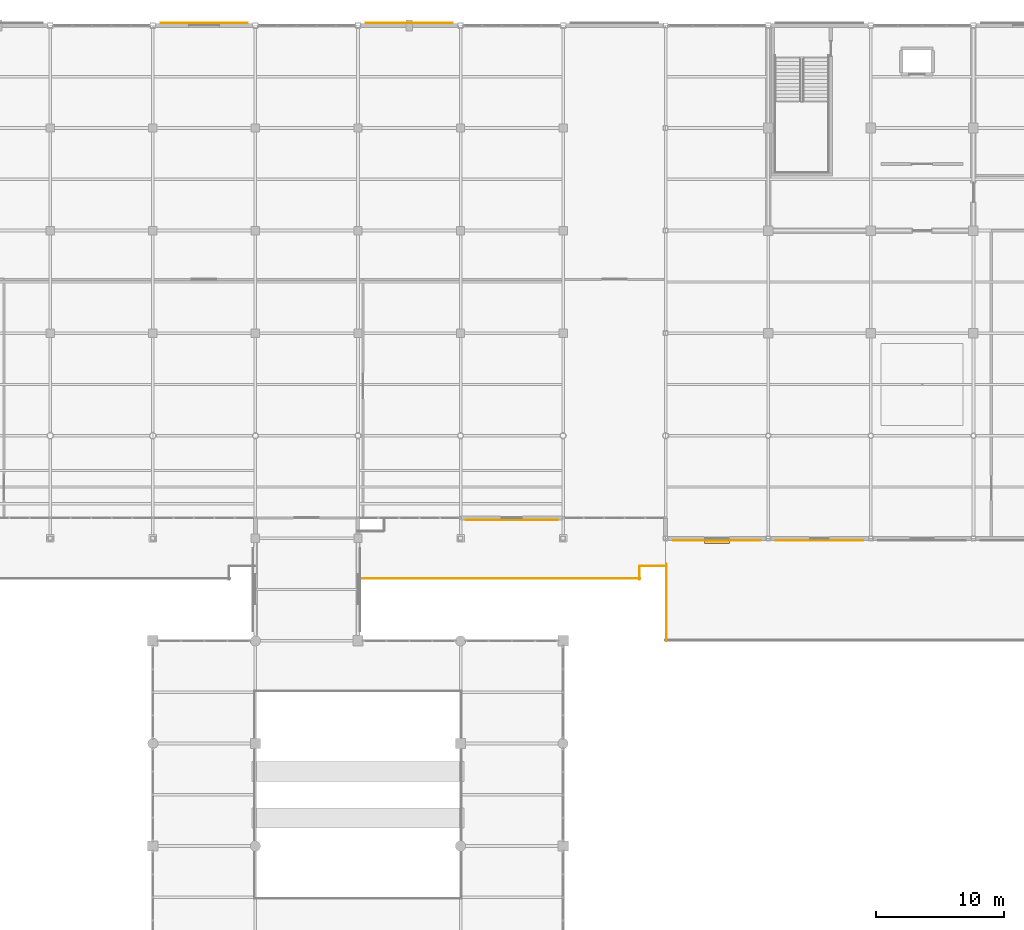
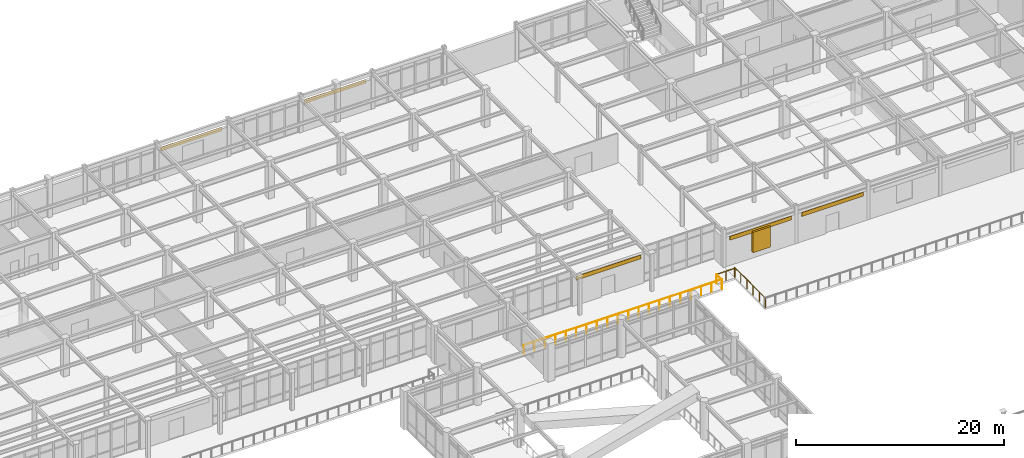
# One storey, part 106 of 111: 5 coverings, 4 railings, 1 shading device.
"""IFC4 building model written with IfcOpenShell, lengths in metres."""

from ifc_helpers import new_model, si_unit, direction, frame, origin, origin_2d, place, context, subcontext, project, spatial, rectangle, circle, extrude, material, layer, layer_set, type_object, element, save


model = new_model("IFC4")

# Units and contexts
model_context = context("Model", 3, precision=1e-05, world=origin(), true_north=direction((0.0, 1.0)))
body_context = subcontext(model_context, "Body", "Model", "MODEL_VIEW")
ifc_project = project(units=[si_unit("LENGTHUNIT", "METRE"), si_unit("AREAUNIT", "SQUARE_METRE"), si_unit("VOLUMEUNIT", "CUBIC_METRE"), si_unit("PLANEANGLEUNIT", "RADIAN"), si_unit("MASSUNIT", "GRAM", prefix="KILO")], contexts=[model_context])

# Site, building, storey
site_placement = place(None, origin())
site = spatial("IfcSite", under=ifc_project, at=site_placement, CompositionType="ELEMENT")
building_placement = place(site_placement, origin())
building = spatial("IfcBuilding", under=site, at=building_placement, Name="Solmirada Galleria", CompositionType="ELEMENT")
storey_placement = place(building_placement, frame((0.0, 0.0, 10.39990234375)))
storey = spatial("IfcBuildingStorey", under=building, at=storey_placement, Name="L02", CompositionType="ELEMENT", Elevation=10.39990234375)

# Coverings
ifc_material_1 = material(Name="Limestone cladding panels", Category="masonry")
ifc_layer_1 = layer(ifc_material_1, 0.044921875)
ifc_layer_set_1 = layer_set([ifc_layer_1], Name="Limestone cladding panels")
covering_type_1 = type_object("IfcCoveringType", Name="COV-CLAD-LIME", PredefinedType="CLADDING", material=ifc_layer_set_1)
for number, where, z_axis, x_axis, name in (
    (1, (84.0, 120.177490234375, 2.990234375), (0.0, 0.0, 1.0), (1.0, 0.0, 0.0), "Postmodern facade cladding L02-153"),
    (2, (100.0, 120.177490234375, 2.990234375), (0.0, 0.0, 1.0), (1.0, 0.0, 0.0), "Postmodern facade cladding L02-154"),
):
    element("IfcCovering", number, at=place(storey_placement, frame(where, z_axis=z_axis, x_axis=x_axis)), inside=storey, type_object=covering_type_1, Name=name, PredefinedType="CLADDING", context=body_context, shape_type="SweptSolid", body=[
        extrude(rectangle(XDim=6.7939453125, YDim=0.044921875, at=origin_2d()), origin(), (0.0, 0.0, 1.0), 0.4599609375),
    ])
covering_1_placement = place(storey_placement, frame((132.0, 79.822509765625, 2.990234375), z_axis=(0.0, 0.0, 1.0), x_axis=(-1.0, 0.0, 0.0)))
element("IfcCovering", 3, at=covering_1_placement, inside=storey, type_object=covering_type_1, Name="Postmodern facade cladding L02-167", PredefinedType="CLADDING", context=body_context, shape_type="SweptSolid", body=[
    extrude(rectangle(XDim=6.843994140625, YDim=0.044921875, at=origin_2d()), origin(), (0.0, 0.0, 1.0), 0.4599609375),
])
covering_2_placement = place(storey_placement, frame((108.0, 81.422607421875, 2.990234375), z_axis=(0.0, 0.0, 1.0), x_axis=(-1.0, 0.0, 0.0)))
element("IfcCovering", 4, at=covering_2_placement, inside=storey, type_object=covering_type_1, Name="Postmodern facade cladding L02-169", PredefinedType="CLADDING", context=body_context, shape_type="SweptSolid", body=[
    extrude(rectangle(XDim=7.199951171875, YDim=0.044921875, at=origin_2d()), origin(), (0.0, 0.0, 1.0), 0.4599609375),
])
ifc_material_2 = material(Name="Glazed terracotta facade panels", Category="masonry")
ifc_layer_2 = layer(ifc_material_2, 0.0400390625)
ifc_layer_set_2 = layer_set([ifc_layer_2], Name="Glazed terracotta facade panels")
covering_type_2 = type_object("IfcCoveringType", Name="COV-CLAD-TERRA", PredefinedType="CLADDING", material=ifc_layer_set_2)
covering_3_placement = place(storey_placement, frame((124.0, 79.824951171875, 2.990234375), z_axis=(0.0, 0.0, 1.0), x_axis=(-1.0, 0.0, 0.0)))
element("IfcCovering", 5, at=covering_3_placement, inside=storey, type_object=covering_type_2, Name="Postmodern facade cladding L02-168", PredefinedType="CLADDING", context=body_context, shape_type="SweptSolid", body=[
    extrude(rectangle(XDim=6.843994140625, YDim=0.0400390625, at=origin_2d()), origin(), (0.0, 0.0, 1.0), 0.4599609375),
])

# Railings
ifc_material_3 = material(Name="Painted galvanized steel balustrade", Category="steel")
railing_type = type_object("IfcRailingType", Name="RAIL-TERR-1100", PredefinedType="GUARDRAIL", material=ifc_material_3)
railing_1_placement = place(storey_placement, frame((96.0, 76.85009765625, 0.0)))
element("IfcRailing", 6, at=railing_1_placement, inside=storey, type_object=railing_type, Name="Terrace guardrail L02-TERR-NE E1.1", PredefinedType="GUARDRAIL", context=body_context, shape_type="SweptSolid", body=[
    extrude(circle(Radius=0.02392578125, at=origin_2d()), frame((0.0, 0.0, 1.09619140625), z_axis=(1.0, 0.0, 0.0), x_axis=(0.0, 1.0, 0.0)), (0.0, 0.0, 1.0), 22.0),
    extrude(circle(Radius=0.02099609375, at=origin_2d()), origin(), (0.0, 0.0, 1.0), 1.068115234375),
    extrude(circle(Radius=0.02099609375, at=origin_2d()), frame((1.157958984375, 0.0, 0.0)), (0.0, 0.0, 1.0), 1.068115234375),
    extrude(circle(Radius=0.02099609375, at=origin_2d()), frame((2.315673828125, 0.0, 0.0)), (0.0, 0.0, 1.0), 1.068115234375),
    extrude(circle(Radius=0.02099609375, at=origin_2d()), frame((3.4736328125, 0.0, 0.0)), (0.0, 0.0, 1.0), 1.068115234375),
    extrude(circle(Radius=0.02099609375, at=origin_2d()), frame((4.631591796875, 0.0, 0.0)), (0.0, 0.0, 1.0), 1.068115234375),
    extrude(circle(Radius=0.02099609375, at=origin_2d()), frame((5.78955078125, 0.0, 0.0)), (0.0, 0.0, 1.0), 1.068115234375),
    extrude(circle(Radius=0.02099609375, at=origin_2d()), frame((6.947265625, 0.0, 0.0)), (0.0, 0.0, 1.0), 1.068115234375),
    extrude(circle(Radius=0.02099609375, at=origin_2d()), frame((8.105224609375, 0.0, 0.0)), (0.0, 0.0, 1.0), 1.068115234375),
    extrude(circle(Radius=0.02099609375, at=origin_2d()), frame((9.26318359375, 0.0, 0.0)), (0.0, 0.0, 1.0), 1.068115234375),
    extrude(circle(Radius=0.02099609375, at=origin_2d()), frame((10.421142578125, 0.0, 0.0)), (0.0, 0.0, 1.0), 1.068115234375),
    extrude(circle(Radius=0.02099609375, at=origin_2d()), frame((11.578857421875, 0.0, 0.0)), (0.0, 0.0, 1.0), 1.068115234375),
    extrude(circle(Radius=0.02099609375, at=origin_2d()), frame((12.73681640625, 0.0, 0.0)), (0.0, 0.0, 1.0), 1.068115234375),
    extrude(circle(Radius=0.02099609375, at=origin_2d()), frame((13.894775390625, 0.0, 0.0)), (0.0, 0.0, 1.0), 1.068115234375),
    extrude(circle(Radius=0.02099609375, at=origin_2d()), frame((15.052734375, 0.0, 0.0)), (0.0, 0.0, 1.0), 1.068115234375),
    extrude(circle(Radius=0.02099609375, at=origin_2d()), frame((16.21044921875, 0.0, 0.0)), (0.0, 0.0, 1.0), 1.068115234375),
    extrude(circle(Radius=0.02099609375, at=origin_2d()), frame((17.368408203125, 0.0, 0.0)), (0.0, 0.0, 1.0), 1.068115234375),
    extrude(circle(Radius=0.02099609375, at=origin_2d()), frame((18.5263671875, 0.0, 0.0)), (0.0, 0.0, 1.0), 1.068115234375),
    extrude(circle(Radius=0.02099609375, at=origin_2d()), frame((19.684326171875, 0.0, 0.0)), (0.0, 0.0, 1.0), 1.068115234375),
    extrude(circle(Radius=0.02099609375, at=origin_2d()), frame((20.842041015625, 0.0, 0.0)), (0.0, 0.0, 1.0), 1.068115234375),
    extrude(circle(Radius=0.02099609375, at=origin_2d()), frame((22.0, 0.0, 0.0)), (0.0, 0.0, 1.0), 1.068115234375),
])
railing_2_placement = place(storey_placement, frame((117.949951171875, 76.800048828125, 0.0)))
element("IfcRailing", 7, at=railing_2_placement, inside=storey, type_object=railing_type, Name="Terrace guardrail L02-TERR-NE E2.1", PredefinedType="GUARDRAIL", context=body_context, shape_type="SweptSolid", body=[
    extrude(circle(Radius=0.02392578125, at=origin_2d()), frame((0.0, 0.0, 1.09619140625), z_axis=(0.0, 1.0, 0.0), x_axis=(-1.0, 0.0, 0.0)), (0.0, 0.0, 1.0), 1.0),
    extrude(circle(Radius=0.02099609375, at=origin_2d()), origin(), (0.0, 0.0, 1.0), 1.068115234375),
    extrude(circle(Radius=0.02099609375, at=origin_2d()), frame((0.0, 1.0, 0.0)), (0.0, 0.0, 1.0), 1.068115234375),
])
railing_3_placement = place(storey_placement, frame((118.0, 77.85009765625, 0.0)))
element("IfcRailing", 8, at=railing_3_placement, inside=storey, type_object=railing_type, Name="Terrace guardrail L02-TERR-NE E3.1", PredefinedType="GUARDRAIL", context=body_context, shape_type="SweptSolid", body=[
    extrude(circle(Radius=0.02392578125, at=origin_2d()), frame((0.0, 0.0, 1.09619140625), z_axis=(1.0, 0.0, 0.0), x_axis=(0.0, 1.0, 0.0)), (0.0, 0.0, 1.0), 2.0),
    extrude(circle(Radius=0.02099609375, at=origin_2d()), origin(), (0.0, 0.0, 1.0), 1.068115234375),
    extrude(circle(Radius=0.02099609375, at=origin_2d()), frame((1.0, 0.0, 0.0)), (0.0, 0.0, 1.0), 1.068115234375),
    extrude(circle(Radius=0.02099609375, at=origin_2d()), frame((2.0, 0.0, 0.0)), (0.0, 0.0, 1.0), 1.068115234375),
])
railing_4_placement = place(storey_placement, frame((120.050048828125, 78.0, 0.0)))
element("IfcRailing", 9, at=railing_4_placement, inside=storey, type_object=railing_type, Name="Terrace guardrail L02-TERR-WING E4.1", PredefinedType="GUARDRAIL", context=body_context, shape_type="SweptSolid", body=[
    extrude(circle(Radius=0.02392578125, at=origin_2d()), frame((0.0, 0.0, 1.09619140625), z_axis=(0.0, -1.0, 0.0), x_axis=(1.0, 0.0, 0.0)), (0.0, 0.0, 1.0), 6.0),
    extrude(circle(Radius=0.02099609375, at=origin_2d()), origin(), (0.0, 0.0, 1.0), 1.068115234375),
    extrude(circle(Radius=0.02099609375, at=origin_2d()), frame((0.0, -1.199951171875, 0.0)), (0.0, 0.0, 1.0), 1.068115234375),
    extrude(circle(Radius=0.02099609375, at=origin_2d()), frame((0.0, -2.39990234375, 0.0)), (0.0, 0.0, 1.0), 1.068115234375),
    extrude(circle(Radius=0.02099609375, at=origin_2d()), frame((0.0, -3.60009765625, 0.0)), (0.0, 0.0, 1.0), 1.068115234375),
    extrude(circle(Radius=0.02099609375, at=origin_2d()), frame((0.0, -4.800048828125, 0.0)), (0.0, 0.0, 1.0), 1.068115234375),
    extrude(circle(Radius=0.02099609375, at=origin_2d()), frame((0.0, -6.0, 0.0)), (0.0, 0.0, 1.0), 1.068115234375),
])

# Shading device
ifc_material_4 = material(Name="Extruded aluminium storm louvres", Category="aluminium")
shading_device_type = type_object("IfcShadingDeviceType", Name="SHD-JALOUSIE", PredefinedType="JALOUSIE", material=ifc_material_4)
shading_device_placement = place(storey_placement, frame((124.0, 79.715087890625, 0.800048828125), z_axis=(0.0, 0.0, 1.0), x_axis=(-1.0, 0.0, 0.0)))
element("IfcShadingDevice", 10, at=shading_device_placement, inside=storey, type_object=shading_device_type, Name="Hurricane storm jalousie louvre 060", PredefinedType="JALOUSIE", context=body_context, shape_type="SweptSolid", body=[
    extrude(rectangle(XDim=1.9599609375, YDim=0.260009765625, at=origin_2d()), origin(), (0.0, 0.0, 1.0), 2.39990234375),
])

save(model, "model.ifc")
